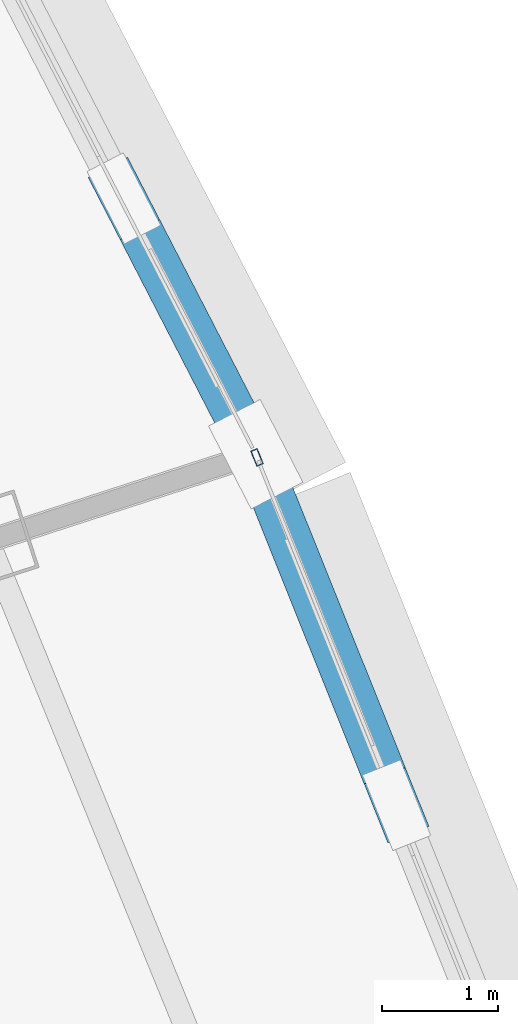
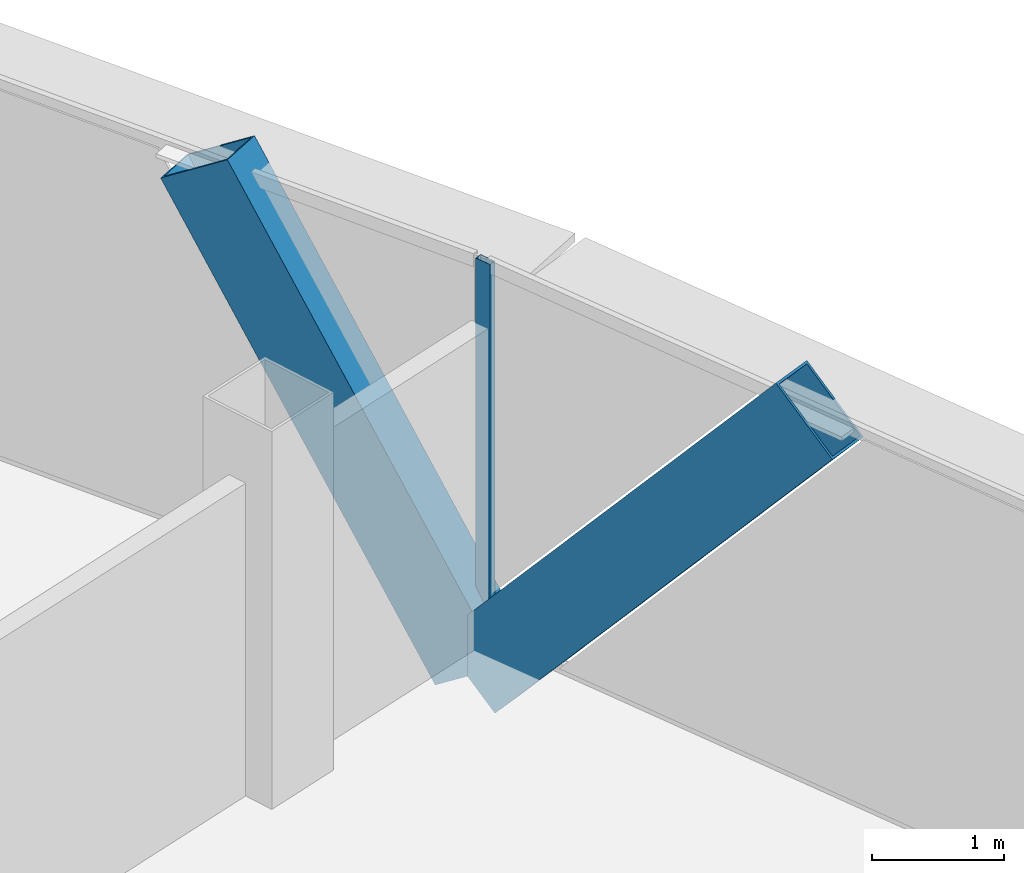
# One storey, part 16 of 30: 3 members, 1 element without a shape of its own.
"""IFC4 building model written with IfcOpenShell, lengths in metres."""

from ifc_helpers import new_model, si_unit, direction, frame, origin, origin_2d, place, context, subcontext, project, spatial, hollow_rectangle, extrude, source, transform, mapped, material, layer, layer_set, material_profile, profile_set, type_object, element, aggregate, save


model = new_model("IFC4")

# Units and contexts
model_context = context("Model", 3, precision=1e-05, world=origin(), true_north=direction((0.0, 1.0)))
body_context = subcontext(model_context, "Body", "Model", "MODEL_VIEW")
ifc_project = project(units=[si_unit("LENGTHUNIT", "METRE"), si_unit("AREAUNIT", "SQUARE_METRE"), si_unit("VOLUMEUNIT", "CUBIC_METRE"), si_unit("PLANEANGLEUNIT", "RADIAN"), si_unit("MASSUNIT", "GRAM", prefix="KILO"), si_unit("THERMODYNAMICTEMPERATUREUNIT", "KELVIN"), si_unit("POWERUNIT", "WATT")], contexts=[model_context])

# Site, building, storey
site_placement = place(None, origin())
site = spatial("IfcSite", under=ifc_project, at=site_placement, CompositionType="ELEMENT")
building_placement = place(site_placement, origin())
building = spatial("IfcBuilding", under=site, at=building_placement, Name="Yunzhuo Pagoda Commons", CompositionType="ELEMENT")
storey_placement = place(building_placement, frame((0.0, 0.0, 351.760009765625)))
storey = spatial("IfcBuildingStorey", under=building, at=storey_placement, Name="L88", CompositionType="ELEMENT", Elevation=351.760009765625)

# Members
ifc_material_1 = material(Name="Structural steel Q355B", Category="steel")
ifc_material_profile_1 = material_profile(ifc_material_1, hollow_rectangle(XDim=0.3798828125, YDim=0.719970703125, WallThickness=0.02001953125, at=origin_2d()), Name="Structural steel Q355B")
ifc_profile_set_1 = profile_set([ifc_material_profile_1], Name="Structural steel Q355B")
member_type_1 = type_object("IfcMemberType", Name="M-DL3 Brace BOX 720x380x20", PredefinedType="BRACE", material=ifc_profile_set_1)
shared_shape_1 = source(origin(), body_context, "Body", "SweptSolid", [
    extrude(hollow_rectangle(XDim=0.3798828125, YDim=0.719970703125, WallThickness=0.02001953125, at=origin_2d()), origin(), (0.0, 0.0, 1.0), 4.9609375),
])
member_1_placement = place(storey_placement, frame((70.353759765625, 40.963134765625, -0.260009765625), z_axis=(0.243893842105, -0.60756928463, 0.755893747928), x_axis=(0.928019800573, 0.37253087086, 0.0)))
element("IfcMember", 1, at=member_1_placement, inside=storey, type_object=member_type_1, Name="L88 facade diamond brace F2.1R", PredefinedType="BRACE", context=body_context, shape_type="MappedRepresentation", body=[
    mapped(shared_shape_1, transform((0.0, 0.0, 0.0), scale=1.0)),
])
shared_shape_2 = source(origin(), body_context, "Body", "SweptSolid", [
    extrude(hollow_rectangle(XDim=0.3798828125, YDim=0.719970703125, WallThickness=0.02001953125, at=origin_2d()), origin(), (0.0, 0.0, 1.0), 4.490966796875),
])
member_2_placement = place(storey_placement, frame((70.353759765625, 40.963134765625, -0.260009765625), z_axis=(-0.252078865424, 0.489099321161, 0.835007844063), x_axis=(-0.888886783274, -0.45812693276, 0.0)))
element("IfcMember", 2, at=member_2_placement, inside=storey, type_object=member_type_1, Name="L88 facade diamond brace F2.2L", PredefinedType="BRACE", context=body_context, shape_type="MappedRepresentation", body=[
    mapped(shared_shape_2, transform((0.0, 0.0, 0.0), scale=1.0)),
])

# Curtain wall, member
ifc_material_2 = material(Name="Anodized aluminium 6063-T6", Category="aluminium")
ifc_layer = layer(ifc_material_2, 0.139892578125)
ifc_layer_set = layer_set([ifc_layer], Name="Anodized aluminium 6063-T6")
curtain_wall_type = type_object("IfcCurtainWallType", Name="CW-HI High-Zone Ribbon Curtain Wall", PredefinedType="NOTDEFINED", material=ifc_layer_set)
curtain_wall_placement = place(storey_placement, origin())
curtain_wall = element("IfcCurtainWall", 3, at=curtain_wall_placement, inside=storey, type_object=curtain_wall_type, Name="L88 curtain wall CW-L88-F2B2", PredefinedType="NOTDEFINED")
ifc_material_profile_2 = material_profile(ifc_material_2, hollow_rectangle(XDim=0.06005859375, YDim=0.139892578125, WallThickness=0.00341796875, at=origin_2d()), Name="Anodized aluminium 6063-T6")
ifc_profile_set_2 = profile_set([ifc_material_profile_2], Name="Anodized aluminium 6063-T6")
member_type_2 = type_object("IfcMemberType", Name="CW-HI-M Mullion RHS 140x60x3.5", PredefinedType="MULLION", material=ifc_profile_set_2)
shared_shape_3 = source(origin(), body_context, "Body", "SweptSolid", [
    extrude(hollow_rectangle(XDim=0.06005859375, YDim=0.139892578125, WallThickness=0.00341796875, at=origin_2d()), origin(), (0.0, 0.0, 1.0), 3.489990234375),
])
member_3_placement = place(storey_placement, frame((70.364990234375, 40.935302734375, 0.0), z_axis=(0.0, 0.0, 1.0), x_axis=(-0.92803921175, -0.372482511608, 0.0)))
member_3 = element("IfcMember", 4, at=member_3_placement, type_object=member_type_2, Name="CW mullion 2", PredefinedType="MULLION", context=body_context, shape_type="MappedRepresentation", body=[
    mapped(shared_shape_3, transform((0.0, 0.0, 0.0), scale=1.0)),
])
aggregate(curtain_wall, [member_3])

save(model, "model.ifc")
